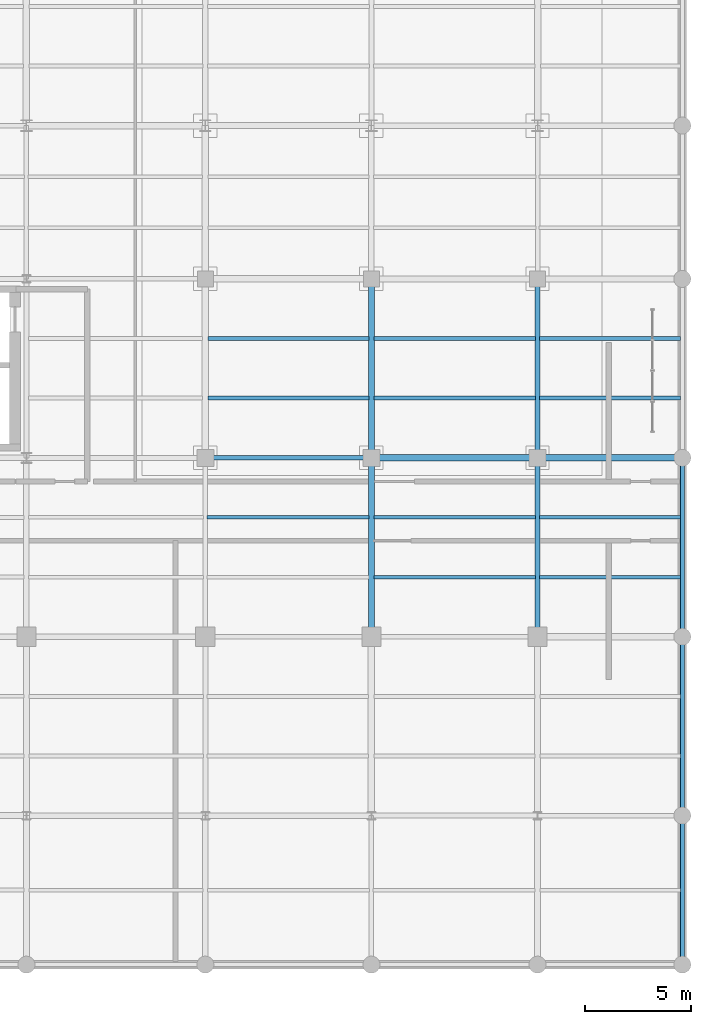
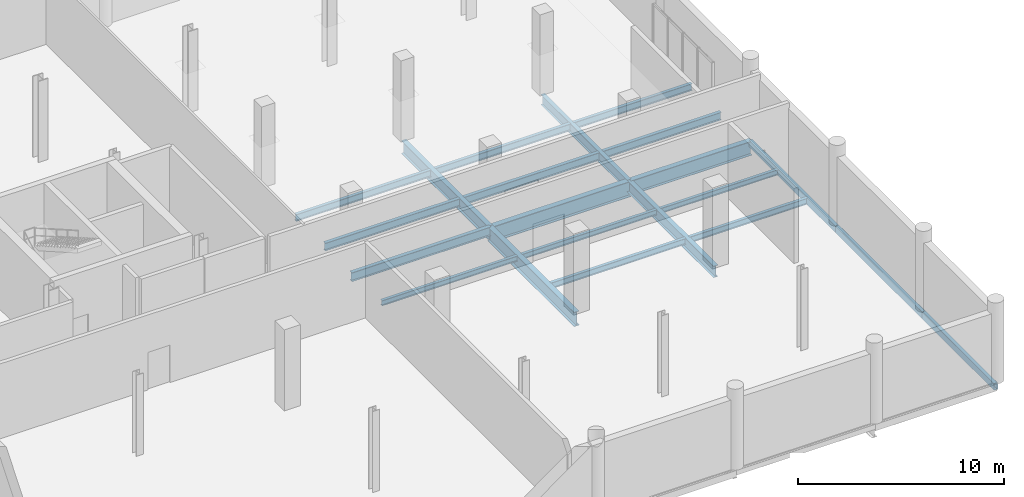
# One storey, part 60 of 109: 21 beams.
"""IFC4 building model written with IfcOpenShell, lengths in metres."""

from ifc_helpers import new_model, si_unit, direction, frame, origin_with_axes, origin_2d_with_axis, place, context, subcontext, project, spatial, hollow_rectangle, i_section, extrude, material, material_profile, profile_set, type_object, element, save


model = new_model("IFC4")

# Units and contexts
model_context = context("Model", 3, precision=1e-05, world=origin_with_axes(), true_north=direction((0.0, 1.0)))
body_context = subcontext(model_context, "Body", "Model", "MODEL_VIEW")
ifc_project = project(units=[si_unit("LENGTHUNIT", "METRE"), si_unit("AREAUNIT", "SQUARE_METRE"), si_unit("VOLUMEUNIT", "CUBIC_METRE"), si_unit("PLANEANGLEUNIT", "RADIAN"), si_unit("MASSUNIT", "GRAM", prefix="KILO"), si_unit("THERMODYNAMICTEMPERATUREUNIT", "KELVIN")], contexts=[model_context])

# Site, building, storey
site_placement = place(None, origin_with_axes())
site = spatial("IfcSite", under=ifc_project, at=site_placement, CompositionType="ELEMENT")
building_placement = place(site_placement, origin_with_axes())
building = spatial("IfcBuilding", under=site, at=building_placement, Name="Montbau Bow Law Courts", CompositionType="ELEMENT")
storey_placement = place(building_placement, frame((0.0, 0.0, 10.8), z_axis=(0.0, 0.0, 1.0), x_axis=(1.0, 0.0, 0.0)))
storey = spatial("IfcBuildingStorey", under=building, at=storey_placement, Name="L02", CompositionType="ELEMENT", Elevation=10.8)

# Beams
ifc_material_1 = material(Name="Steel CSA G40.21 Grade 350W (350 MPa)", Category="steel")
ifc_material_profile_1 = material_profile(ifc_material_1, i_section(OverallWidth=0.306, OverallDepth=0.919, WebThickness=0.0173, FlangeThickness=0.0279, at=origin_2d_with_axis()), Name="W920X253", Category="Main", Priority=0)
ifc_profile_set_1 = profile_set([ifc_material_profile_1], Name="Steel CSA G40.21 Grade 350W (350 MPa)")
beam_type_1 = type_object("IfcBeamType", Name="B-FLR-01", PredefinedType="BEAM", material=ifc_profile_set_1)
beam_1_placement = place(None, frame((154.8, 30.6, 10.12), z_axis=(1.0, 0.0, 0.0), x_axis=(0.0, 1.0, 0.0)))
element("IfcBeam", 1, at=beam_1_placement, inside=storey, type_object=beam_type_1, Name="BM-L02-S1552:bm2_1555", PredefinedType="BEAM", context=body_context, shape_type="SweptSolid", body=[
    extrude(i_section(OverallWidth=0.306, OverallDepth=0.919, WebThickness=0.0173, FlangeThickness=0.0279, at=origin_2d_with_axis()), origin_with_axes(), (0.0, 0.0, 1.0), 7.8),
])
ifc_material_profile_2 = material_profile(ifc_material_1, i_section(OverallWidth=0.293, OverallDepth=0.846, WebThickness=0.0154, FlangeThickness=0.0244, at=origin_2d_with_axis()), Name="W840X210", Category="Main", Priority=0)
ifc_profile_set_2 = profile_set([ifc_material_profile_2], Name="Steel CSA G40.21 Grade 350W (350 MPa)")
beam_type_2 = type_object("IfcBeamType", Name="B-FLR-02", PredefinedType="BEAM", material=ifc_profile_set_2)
beam_2_placement = place(None, frame((162.6, 30.6, 10.157), z_axis=(1.0, 0.0, 0.0), x_axis=(0.0, 1.0, 0.0)))
element("IfcBeam", 2, at=beam_2_placement, inside=storey, type_object=beam_type_2, Name="BM-L02-S1553:bm2_1556", PredefinedType="BEAM", context=body_context, shape_type="SweptSolid", body=[
    extrude(i_section(OverallWidth=0.293, OverallDepth=0.846, WebThickness=0.0154, FlangeThickness=0.0244, at=origin_2d_with_axis()), origin_with_axes(), (0.0, 0.0, 1.0), 6.8),
])
beam_3_placement = place(None, frame((154.8, 22.2, 10.157), z_axis=(0.0, 1.0, 0.0), x_axis=(-1.0, 0.0, 0.0)))
element("IfcBeam", 3, at=beam_3_placement, inside=storey, type_object=beam_type_2, Name="BM-L02-S1606:bm2_1609", PredefinedType="BEAM", context=body_context, shape_type="SweptSolid", body=[
    extrude(i_section(OverallWidth=0.293, OverallDepth=0.846, WebThickness=0.0154, FlangeThickness=0.0244, at=origin_2d_with_axis()), origin_with_axes(), (0.0, 0.0, 1.0), 8.4),
])
ifc_material_profile_3 = material_profile(ifc_material_1, i_section(OverallWidth=0.267, OverallDepth=0.766, WebThickness=0.0149, FlangeThickness=0.0236, at=origin_2d_with_axis()), Name="W760X185", Category="Main", Priority=0)
ifc_profile_set_3 = profile_set([ifc_material_profile_3], Name="Steel CSA G40.21 Grade 350W (350 MPa)")
beam_type_3 = type_object("IfcBeamType", Name="B-FLR-03", PredefinedType="BEAM", material=ifc_profile_set_3)
beam_4_placement = place(None, frame((154.8, 30.6, 10.197), z_axis=(0.0, 1.0, 0.0), x_axis=(-1.0, 0.0, 0.0)))
element("IfcBeam", 4, at=beam_4_placement, inside=storey, type_object=beam_type_3, Name="BM-L02-S1607:bm2_1610", PredefinedType="BEAM", context=body_context, shape_type="SweptSolid", body=[
    extrude(i_section(OverallWidth=0.267, OverallDepth=0.766, WebThickness=0.0149, FlangeThickness=0.0236, at=origin_2d_with_axis()), origin_with_axes(), (0.0, 0.0, 1.0), 8.4),
])
ifc_material_profile_4 = material_profile(ifc_material_1, i_section(OverallWidth=0.254, OverallDepth=0.688, WebThickness=0.0131, FlangeThickness=0.0211, at=origin_2d_with_axis()), Name="W690X152", Category="Main", Priority=0)
ifc_profile_set_4 = profile_set([ifc_material_profile_4], Name="Steel CSA G40.21 Grade 350W (350 MPa)")
beam_type_4 = type_object("IfcBeamType", Name="B-FLR-04", PredefinedType="BEAM", material=ifc_profile_set_4)
beam_5_placement = place(None, frame((162.6, 22.2, 10.236), z_axis=(0.0, 1.0, 0.0), x_axis=(-1.0, 0.0, 0.0)))
element("IfcBeam", 5, at=beam_5_placement, inside=storey, type_object=beam_type_4, Name="BM-L02-S1613:bm2_1616", PredefinedType="BEAM", context=body_context, shape_type="SweptSolid", body=[
    extrude(i_section(OverallWidth=0.254, OverallDepth=0.688, WebThickness=0.0131, FlangeThickness=0.0211, at=origin_2d_with_axis()), origin_with_axes(), (0.0, 0.0, 1.0), 8.4),
])
ifc_material_profile_5 = material_profile(ifc_material_1, i_section(OverallWidth=0.229, OverallDepth=0.612, WebThickness=0.0119, FlangeThickness=0.0196, at=origin_2d_with_axis()), Name="W610X125", Category="Main", Priority=0)
ifc_profile_set_5 = profile_set([ifc_material_profile_5], Name="Steel CSA G40.21 Grade 350W (350 MPa)")
beam_type_5 = type_object("IfcBeamType", Name="B-FLR-05", PredefinedType="BEAM", material=ifc_profile_set_5)
beam_6_placement = place(None, frame((162.6, 30.6, 10.274), z_axis=(0.0, 1.0, 0.0), x_axis=(-1.0, 0.0, 0.0)))
element("IfcBeam", 6, at=beam_6_placement, inside=storey, type_object=beam_type_5, Name="BM-L02-S1614:bm2_1617", PredefinedType="BEAM", context=body_context, shape_type="SweptSolid", body=[
    extrude(i_section(OverallWidth=0.229, OverallDepth=0.612, WebThickness=0.0119, FlangeThickness=0.0196, at=origin_2d_with_axis()), origin_with_axes(), (0.0, 0.0, 1.0), 8.4),
])
ifc_material_profile_6 = material_profile(ifc_material_1, i_section(OverallWidth=0.21, OverallDepth=0.537, WebThickness=0.0109, FlangeThickness=0.0174, at=origin_2d_with_axis()), Name="W530X101", Category="Main", Priority=0)
ifc_profile_set_6 = profile_set([ifc_material_profile_6], Name="Steel CSA G40.21 Grade 350W (350 MPa)")
beam_type_6 = type_object("IfcBeamType", Name="B-FLR-06", PredefinedType="BEAM", material=ifc_profile_set_6)
beam_7_placement = place(None, frame((147.0, 30.6, 10.312), z_axis=(1.0, 0.0, 0.0), x_axis=(0.0, 1.0, 0.0)))
element("IfcBeam", 7, at=beam_7_placement, inside=storey, type_object=beam_type_6, Name="BM-L02-S1551:bm2_1554", PredefinedType="BEAM", context=body_context, shape_type="SweptSolid", body=[
    extrude(i_section(OverallWidth=0.21, OverallDepth=0.537, WebThickness=0.0109, FlangeThickness=0.0174, at=origin_2d_with_axis()), origin_with_axes(), (0.0, 0.0, 1.0), 7.8),
])
ifc_material_profile_7 = material_profile(ifc_material_1, i_section(OverallWidth=0.191, OverallDepth=0.46, WebThickness=0.0099, FlangeThickness=0.016, at=origin_2d_with_axis()), Name="W460X82", Category="Main", Priority=0)
ifc_profile_set_7 = profile_set([ifc_material_profile_7], Name="Steel CSA G40.21 Grade 350W (350 MPa)")
beam_type_7 = type_object("IfcBeamType", Name="B-JST-01", PredefinedType="JOIST", material=ifc_profile_set_7)
beam_8_placement = place(None, frame((147.129, 33.4, 10.35), z_axis=(1.0, 0.0, 0.0), x_axis=(0.0, 1.0, 0.0)))
element("IfcBeam", 8, at=beam_8_placement, inside=storey, type_object=beam_type_7, Name="JST-L02-S0916:jst2_0916", PredefinedType="JOIST", context=body_context, shape_type="SweptSolid", body=[
    extrude(i_section(OverallWidth=0.191, OverallDepth=0.46, WebThickness=0.0099, FlangeThickness=0.016, at=origin_2d_with_axis()), origin_with_axes(), (0.0, 0.0, 1.0), 7.562),
])
beam_9_placement = place(None, frame((154.91, 33.4, 10.35), z_axis=(1.0, 0.0, 0.0), x_axis=(0.0, 1.0, 0.0)))
element("IfcBeam", 9, at=beam_9_placement, inside=storey, type_object=beam_type_7, Name="JST-L02-S0928:jst2_0928", PredefinedType="JOIST", context=body_context, shape_type="SweptSolid", body=[
    extrude(i_section(OverallWidth=0.191, OverallDepth=0.46, WebThickness=0.0099, FlangeThickness=0.016, at=origin_2d_with_axis()), origin_with_axes(), (0.0, 0.0, 1.0), 7.6),
])
beam_10_placement = place(None, frame((162.69, 33.4, 10.35), z_axis=(1.0, 0.0, 0.0), x_axis=(0.0, 1.0, 0.0)))
element("IfcBeam", 10, at=beam_10_placement, inside=storey, type_object=beam_type_7, Name="JST-L02-S0940:jst2_0940", PredefinedType="JOIST", context=body_context, shape_type="SweptSolid", body=[
    extrude(i_section(OverallWidth=0.191, OverallDepth=0.46, WebThickness=0.0099, FlangeThickness=0.016, at=origin_2d_with_axis()), origin_with_axes(), (0.0, 0.0, 1.0), 6.63),
])
ifc_material_profile_8 = material_profile(ifc_material_1, i_section(OverallWidth=0.179, OverallDepth=0.41, WebThickness=0.0088, FlangeThickness=0.0144, at=origin_2d_with_axis()), Name="W410X67", Category="Main", Priority=0)
ifc_profile_set_8 = profile_set([ifc_material_profile_8], Name="Steel CSA G40.21 Grade 350W (350 MPa)")
beam_type_8 = type_object("IfcBeamType", Name="B-JST-02", PredefinedType="JOIST", material=ifc_profile_set_8)
beam_11_placement = place(None, frame((147.129, 36.2, 10.375), z_axis=(1.0, 0.0, 0.0), x_axis=(0.0, 1.0, 0.0)))
element("IfcBeam", 11, at=beam_11_placement, inside=storey, type_object=beam_type_8, Name="JST-L02-S0917:jst2_0917", PredefinedType="JOIST", context=body_context, shape_type="SweptSolid", body=[
    extrude(i_section(OverallWidth=0.179, OverallDepth=0.41, WebThickness=0.0088, FlangeThickness=0.0144, at=origin_2d_with_axis()), origin_with_axes(), (0.0, 0.0, 1.0), 7.562),
])
beam_12_placement = place(None, frame((154.91, 36.2, 10.375), z_axis=(1.0, 0.0, 0.0), x_axis=(0.0, 1.0, 0.0)))
element("IfcBeam", 12, at=beam_12_placement, inside=storey, type_object=beam_type_8, Name="JST-L02-S0929:jst2_0929", PredefinedType="JOIST", context=body_context, shape_type="SweptSolid", body=[
    extrude(i_section(OverallWidth=0.179, OverallDepth=0.41, WebThickness=0.0088, FlangeThickness=0.0144, at=origin_2d_with_axis()), origin_with_axes(), (0.0, 0.0, 1.0), 7.6),
])
beam_13_placement = place(None, frame((162.69, 36.2, 10.375), z_axis=(1.0, 0.0, 0.0), x_axis=(0.0, 1.0, 0.0)))
element("IfcBeam", 13, at=beam_13_placement, inside=storey, type_object=beam_type_8, Name="JST-L02-S0941:jst2_0941", PredefinedType="JOIST", context=body_context, shape_type="SweptSolid", body=[
    extrude(i_section(OverallWidth=0.179, OverallDepth=0.41, WebThickness=0.0088, FlangeThickness=0.0144, at=origin_2d_with_axis()), origin_with_axes(), (0.0, 0.0, 1.0), 6.63),
])
ifc_material_profile_9 = material_profile(ifc_material_1, i_section(OverallWidth=0.172, OverallDepth=0.358, WebThickness=0.0079, FlangeThickness=0.0131, at=origin_2d_with_axis()), Name="W360X57", Category="Main", Priority=0)
ifc_profile_set_9 = profile_set([ifc_material_profile_9], Name="Steel CSA G40.21 Grade 350W (350 MPa)")
beam_type_9 = type_object("IfcBeamType", Name="B-JST-03", PredefinedType="JOIST", material=ifc_profile_set_9)
beam_14_placement = place(None, frame((154.923, 25.0, 10.401), z_axis=(1.0, 0.0, 0.0), x_axis=(0.0, 1.0, 0.0)))
element("IfcBeam", 14, at=beam_14_placement, inside=storey, type_object=beam_type_9, Name="JST-L02-S0926:jst2_0926", PredefinedType="JOIST", context=body_context, shape_type="SweptSolid", body=[
    extrude(i_section(OverallWidth=0.172, OverallDepth=0.358, WebThickness=0.0079, FlangeThickness=0.0131, at=origin_2d_with_axis()), origin_with_axes(), (0.0, 0.0, 1.0), 7.574),
])
beam_15_placement = place(None, frame((162.703, 25.0, 10.401), z_axis=(1.0, 0.0, 0.0), x_axis=(0.0, 1.0, 0.0)))
element("IfcBeam", 15, at=beam_15_placement, inside=storey, type_object=beam_type_9, Name="JST-L02-S0938:jst2_0938", PredefinedType="JOIST", context=body_context, shape_type="SweptSolid", body=[
    extrude(i_section(OverallWidth=0.172, OverallDepth=0.358, WebThickness=0.0079, FlangeThickness=0.0131, at=origin_2d_with_axis()), origin_with_axes(), (0.0, 0.0, 1.0), 6.617),
])
ifc_material_profile_10 = material_profile(ifc_material_1, i_section(OverallWidth=0.166, OverallDepth=0.313, WebThickness=0.0066, FlangeThickness=0.0112, at=origin_2d_with_axis()), Name="W310X45", Category="Main", Priority=0)
ifc_profile_set_10 = profile_set([ifc_material_profile_10], Name="Steel CSA G40.21 Grade 350W (350 MPa)")
beam_type_10 = type_object("IfcBeamType", Name="B-JST-04", PredefinedType="JOIST", material=ifc_profile_set_10)
beam_16_placement = place(None, frame((147.081, 27.8, 10.424), z_axis=(1.0, 0.0, 0.0), x_axis=(0.0, 1.0, 0.0)))
element("IfcBeam", 16, at=beam_16_placement, inside=storey, type_object=beam_type_10, Name="JST-L02-S0915:jst2_0915", PredefinedType="JOIST", context=body_context, shape_type="SweptSolid", body=[
    extrude(i_section(OverallWidth=0.166, OverallDepth=0.313, WebThickness=0.0066, FlangeThickness=0.0112, at=origin_2d_with_axis()), origin_with_axes(), (0.0, 0.0, 1.0), 7.597),
])
beam_17_placement = place(None, frame((154.923, 27.8, 10.424), z_axis=(1.0, 0.0, 0.0), x_axis=(0.0, 1.0, 0.0)))
element("IfcBeam", 17, at=beam_17_placement, inside=storey, type_object=beam_type_10, Name="JST-L02-S0927:jst2_0927", PredefinedType="JOIST", context=body_context, shape_type="SweptSolid", body=[
    extrude(i_section(OverallWidth=0.166, OverallDepth=0.313, WebThickness=0.0066, FlangeThickness=0.0112, at=origin_2d_with_axis()), origin_with_axes(), (0.0, 0.0, 1.0), 7.574),
])
beam_18_placement = place(None, frame((162.703, 27.8, 10.424), z_axis=(1.0, 0.0, 0.0), x_axis=(0.0, 1.0, 0.0)))
element("IfcBeam", 18, at=beam_18_placement, inside=storey, type_object=beam_type_10, Name="JST-L02-S0939:jst2_0939", PredefinedType="JOIST", context=body_context, shape_type="SweptSolid", body=[
    extrude(i_section(OverallWidth=0.166, OverallDepth=0.313, WebThickness=0.0066, FlangeThickness=0.0112, at=origin_2d_with_axis()), origin_with_axes(), (0.0, 0.0, 1.0), 6.617),
])
ifc_material_2 = material(Name="Steel CSA G40.21 Grade 350WT (350 MPa)", Category="steel")
ifc_material_profile_11 = material_profile(ifc_material_2, hollow_rectangle(XDim=0.203, YDim=0.406, WallThickness=0.0127, InnerFilletRadius=0.0254, OuterFilletRadius=0.0127, at=origin_2d_with_axis()), Name="HSS406X203X13", Category="Main", Priority=0)
ifc_profile_set_11 = profile_set([ifc_material_profile_11], Name="Steel CSA G40.21 Grade 350WT (350 MPa)")
beam_type_11 = type_object("IfcBeamType", Name="B-SPN-01", PredefinedType="SPANDREL", material=ifc_profile_set_11)
beam_19_placement = place(None, frame((169.4, 6.8, 10.377), z_axis=(0.0, 1.0, 0.0), x_axis=(-1.0, 0.0, 0.0)))
element("IfcBeam", 19, at=beam_19_placement, inside=storey, type_object=beam_type_11, Name="SPN-L02-S1618:bm2_1621", PredefinedType="SPANDREL", context=body_context, shape_type="SweptSolid", body=[
    extrude(hollow_rectangle(XDim=0.203, YDim=0.406, WallThickness=0.0127, InnerFilletRadius=0.0254, OuterFilletRadius=0.0127, at=origin_2d_with_axis()), origin_with_axes(), (0.0, 0.0, 1.0), 7.0),
])
for number, where, z_axis, x_axis, name in (
    (20, (169.4, 13.8, 10.377), (0.0, 1.0, 0.0), (-1.0, 0.0, 0.0), "SPN-L02-S1619:bm2_1622"),
    (21, (169.4, 22.2, 10.377), (0.0, 1.0, 0.0), (-1.0, 0.0, 0.0), "SPN-L02-S1620:bm2_1623"),
):
    element("IfcBeam", number, at=place(None, frame(where, z_axis=z_axis, x_axis=x_axis)), inside=storey, type_object=beam_type_11, Name=name, PredefinedType="SPANDREL", context=body_context, shape_type="SweptSolid", body=[
        extrude(hollow_rectangle(XDim=0.203, YDim=0.406, WallThickness=0.0127, InnerFilletRadius=0.0254, OuterFilletRadius=0.0127, at=origin_2d_with_axis()), origin_with_axes(), (0.0, 0.0, 1.0), 8.4),
    ])

save(model, "model.ifc")
